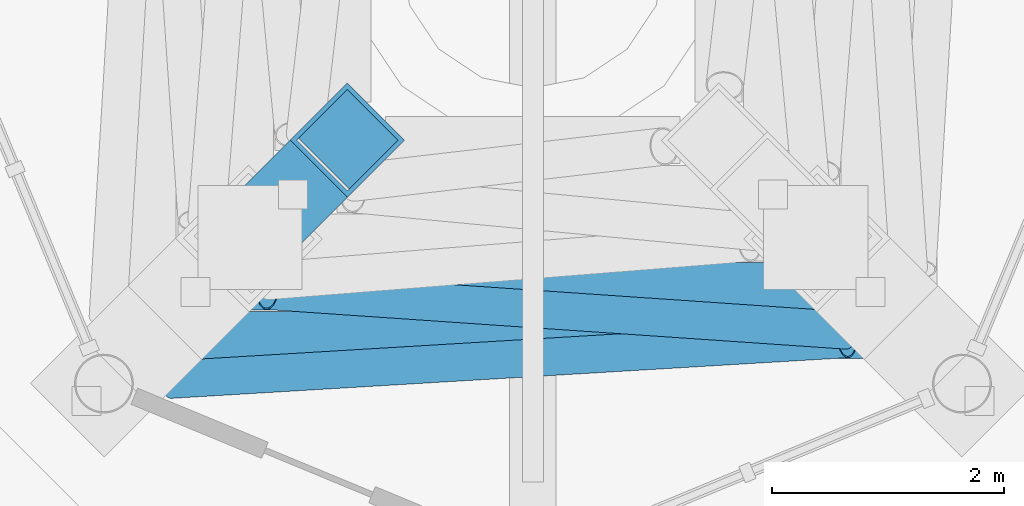
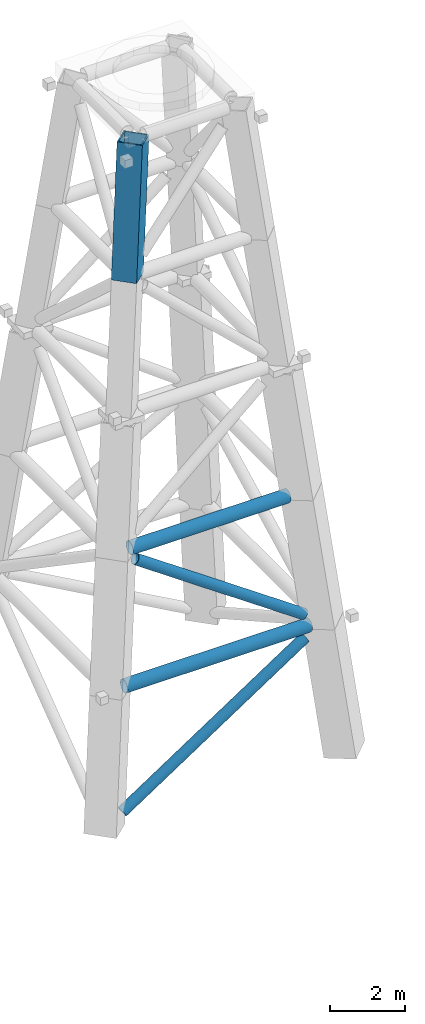
# One storey, part 9 of 32: 5 members.
"""IFC4 building model written with IfcOpenShell, lengths in metres."""

import ifcopenshell
import ifcopenshell.guid

model = None  # the IFC model being written
_history = None  # IfcOwnerHistory: only IFC2X3 demands one
_inside = {}  # id of a spatial element -> (the spatial element, [elements in it])
_under = {}  # id of a project, library or spatial element -> (it, [spatial elements below it])
_declared = {}  # id of a project -> (the project, [libraries it declares])
_typed = {}  # id of a type object -> (the type object, [elements of that type])
_made_of = {}  # id of a material, layer set ... -> (it, [elements and type objects made of it])


def new_model(schema):
    """Start an empty IFC model of exactly this schema.

    Asked for "IFC4X3", IfcOpenShell would pick the latest addendum, in which some entities
    have other attributes; the version numbers below select the first issue.
    IFC2X3 requires an IfcOwnerHistory on every rooted entity: one is made here for all.
    """
    global model, _history
    if schema == "IFC4X3":
        model = ifcopenshell.file(schema_version=(4, 3, 0, 0))
    else:
        model = ifcopenshell.file(schema=schema)
    _inside.clear()
    _under.clear()
    _declared.clear()
    _typed.clear()
    _made_of.clear()
    _history = None
    if model.schema == "IFC2X3":
        org = make("IfcOrganization", Name="unknown")
        user = make(
            "IfcPersonAndOrganization",
            ThePerson=make("IfcPerson", FamilyName="unknown"),
            TheOrganization=org,
        )
        app = make(
            "IfcApplication",
            ApplicationDeveloper=org,
            Version="unknown",
            ApplicationFullName="unknown",
            ApplicationIdentifier="unknown",
        )
        _history = make(
            "IfcOwnerHistory",
            OwningUser=user,
            OwningApplication=app,
            ChangeAction="ADDED",
            CreationDate=0,
        )
    return model


def make(cls, **values):
    """One entity of the class cls with the attributes given. An attribute that is None is left unset."""
    return model.create_entity(
        cls, **{name: value for name, value in values.items() if value is not None}
    )


def rooted(cls, **values):
    """An entity with a GlobalId (a new one), such as an element, a storey or a relation."""
    return make(cls, GlobalId=ifcopenshell.guid.new(), OwnerHistory=_history, **values)


def si_unit(unit_type, name, prefix=None):
    """IfcSIUnit, for example si_unit("LENGTHUNIT", "METRE", prefix="MILLI")."""
    return make("IfcSIUnit", UnitType=unit_type, Prefix=prefix, Name=name)


def assignment(units):
    """IfcUnitAssignment: the units of a project."""
    return None if units is None else make("IfcUnitAssignment", Units=units)


def point(xyz):
    """IfcCartesianPoint."""
    return None if xyz is None else make("IfcCartesianPoint", Coordinates=xyz)


def direction(xyz):
    """IfcDirection."""
    return None if xyz is None else make("IfcDirection", DirectionRatios=xyz)


def frame(location, z_axis=None, x_axis=None):
    """IfcAxis2Placement3D, a coordinate frame: its origin and axes. An axis left out is left unset."""
    return make(
        "IfcAxis2Placement3D",
        Location=point(location),
        Axis=direction(z_axis),
        RefDirection=direction(x_axis),
    )


def frame_2d(location, x_axis=None):
    """IfcAxis2Placement2D, a coordinate frame in the plane: its origin and x axis."""
    return make(
        "IfcAxis2Placement2D", Location=point(location), RefDirection=direction(x_axis)
    )


def origin():
    """The frame at (0, 0, 0) with its axes left unset."""
    return frame((0.0, 0.0, 0.0))


def origin_2d():
    """The frame at (0, 0) in the plane with its x axis left unset."""
    return frame_2d((0.0, 0.0))


def place(relative_to, where):
    """IfcLocalPlacement: puts the frame where relative to a parent placement (None: the world)."""
    return make(
        "IfcLocalPlacement", PlacementRelTo=relative_to, RelativePlacement=where
    )


def context(
    kind, dimensions, precision=None, world=None, true_north=None, identifier=None
):
    """IfcGeometricRepresentationContext, for example the 3D "Model" context."""
    return make(
        "IfcGeometricRepresentationContext",
        ContextIdentifier=identifier,
        ContextType=kind,
        CoordinateSpaceDimension=dimensions,
        Precision=precision,
        WorldCoordinateSystem=world,
        TrueNorth=true_north,
    )


def subcontext(parent, identifier, kind, view, scale=None):
    """IfcGeometricRepresentationSubContext, for example "Body" below "Model"."""
    return make(
        "IfcGeometricRepresentationSubContext",
        ContextIdentifier=identifier,
        ContextType=kind,
        ParentContext=parent,
        TargetScale=scale,
        TargetView=view,
    )


def project(units=None, contexts=None):
    """IfcProject with its units and contexts."""
    return rooted(
        "IfcProject",
        Name="project",
        RepresentationContexts=contexts,
        UnitsInContext=assignment(units),
    )


def spatial(cls, under=None, at=None, **own):
    """A site, building, storey or space (cls), placed at a placement, below another one or the project."""
    s = rooted(cls, ObjectPlacement=at, **own)
    if under is not None:
        _under.setdefault(under.id(), (under, []))[1].append(s)
    return s


def profile(cls, at=None, kind="AREA", **sizes):
    """A parametric profile (cls). Its sizes go by their IFC names, for example OverallWidth=200.0."""
    return make(cls, ProfileType=kind, Position=at, **sizes)


def hollow_rectangle(**sizes):
    """IfcRectangleHollowProfileDef."""
    return profile("IfcRectangleHollowProfileDef", **sizes)


def hollow_circle(**sizes):
    """IfcCircleHollowProfileDef."""
    return profile("IfcCircleHollowProfileDef", **sizes)


def extrude(swept, where, along, depth):
    """IfcExtrudedAreaSolid: the profile swept, set in the frame where, extruded along a direction by depth."""
    return make(
        "IfcExtrudedAreaSolid",
        SweptArea=swept,
        Position=where,
        ExtrudedDirection=direction(along),
        Depth=depth,
    )


def shape(context_of_items, identifier, shape_type, items):
    """IfcShapeRepresentation: the items that make up one representation, for example the "Body"."""
    return make(
        "IfcShapeRepresentation",
        ContextOfItems=context_of_items,
        RepresentationIdentifier=identifier,
        RepresentationType=shape_type,
        Items=items,
    )


def material(Name=None, Category=None):
    """IfcMaterial."""
    return make("IfcMaterial", Name=Name, Category=Category)


def material_profile(
    of_material, cross_section, Name=None, Category=None, Priority=None
):
    """IfcMaterialProfile: a cross section and its material."""
    return make(
        "IfcMaterialProfile",
        Name=Name,
        Material=of_material,
        Profile=cross_section,
        Priority=Priority,
        Category=Category,
    )


def profile_set(profiles, Name=None, composite=None):
    """IfcMaterialProfileSet."""
    return make(
        "IfcMaterialProfileSet",
        Name=Name,
        MaterialProfiles=profiles,
        CompositeProfile=composite,
    )


def made_of(thing, what):
    """Note that an element or type object is made of a material, layer set ...; save() writes the relation."""
    if what is not None:
        _made_of.setdefault(what.id(), (what, []))[1].append(thing)
    return thing


def type_object(cls, material=None, **own):
    """A type object (cls), such as IfcWallType, which elements share."""
    return made_of(rooted(cls, **own), material)


def element(
    cls,
    number,
    at=None,
    inside=None,
    cuts=None,
    type_object=None,
    material=None,
    context=None,
    identifier="Body",
    shape_type=None,
    held_by="IfcProductDefinitionShape",
    body=None,
    shapes=None,
    **own,
):
    """One element of the class cls, such as IfcWall. Its Tag is "e" and its number.

    at: its placement. inside: the storey or other place that contains it. cuts: it is an
    opening in that element (IfcRelVoidsElement). A single representation is given by context,
    identifier, shape_type and body (its items); several are given by shapes. held_by: the class
    of the entity that holds the representations. save() writes the other relations.
    """
    e = rooted(cls, Tag="e%d" % number, ObjectPlacement=at, **own)
    if body is not None:
        shapes = [shape(context, identifier, shape_type, body)]
    if shapes is not None:
        e.Representation = make(held_by, Representations=shapes)
    if inside is not None:
        _inside.setdefault(inside.id(), (inside, []))[1].append(e)
    if cuts is not None:
        rooted(
            "IfcRelVoidsElement", RelatingBuildingElement=cuts, RelatedOpeningElement=e
        )
    if type_object is not None:
        _typed.setdefault(type_object.id(), (type_object, []))[1].append(e)
    return made_of(e, material)


def aggregate(whole, parts):
    """IfcRelAggregates: a whole, such as a stair, and the parts it consists of."""
    return rooted("IfcRelAggregates", RelatingObject=whole, RelatedObjects=parts)


def save(model, path):
    """Write the relations noted so far, then the file.

    IfcRelAggregates (storeys below a building ...), IfcRelContainedInSpatialStructure (elements
    in a storey), IfcRelDefinesByType, IfcRelAssociatesMaterial and IfcRelDeclares: one each for
    every whole, place, type object, material and project.
    """
    for whole, parts in _under.values():
        aggregate(whole, parts)
    for where, things in _inside.values():
        rooted(
            "IfcRelContainedInSpatialStructure",
            RelatedElements=things,
            RelatingStructure=where,
        )
    for kind, things in _typed.values():
        rooted("IfcRelDefinesByType", RelatedObjects=things, RelatingType=kind)
    for what, things in _made_of.values():
        rooted("IfcRelAssociatesMaterial", RelatedObjects=things, RelatingMaterial=what)
    for by, libraries in _declared.values():
        rooted("IfcRelDeclares", RelatingContext=by, RelatedDefinitions=libraries)
    model.write(path)


model = new_model("IFC4")

# Units and contexts
model_context = context("Model", 3, precision=1e-05, world=origin(), true_north=direction((0.0, 1.0)))
body_context = subcontext(model_context, "Body", "Model", "MODEL_VIEW")
ifc_project = project(units=[si_unit("LENGTHUNIT", "METRE"), si_unit("AREAUNIT", "SQUARE_METRE"), si_unit("VOLUMEUNIT", "CUBIC_METRE"), si_unit("PLANEANGLEUNIT", "RADIAN"), si_unit("MASSUNIT", "GRAM", prefix="KILO")], contexts=[model_context])

# Site, building, storey
site_placement = place(None, origin())
site = spatial("IfcSite", under=ifc_project, at=site_placement, CompositionType="ELEMENT")
building_placement = place(site_placement, origin())
building = spatial("IfcBuilding", under=site, at=building_placement, Name="Cobrizo Arcos Hotel Tower", CompositionType="ELEMENT")
storey_placement = place(building_placement, frame((0.0, 0.0, 265.5)))
storey = spatial("IfcBuildingStorey", under=building, at=storey_placement, Name="L70", CompositionType="ELEMENT", Elevation=265.5)

# Members
ifc_material_1 = material(Name="Steel ASTM A500 Grade C", Category="steel")
ifc_material_profile_1 = material_profile(ifc_material_1, hollow_circle(Radius=0.161865234375, WallThickness=0.01171875, at=origin_2d()), Name="HSS12.750X0.500")
ifc_profile_set_1 = profile_set([ifc_material_profile_1], Name="Steel ASTM A500 Grade C")
member_type_1 = type_object("IfcMemberType", Name="MAST diagonal HSS12.750X0.500", PredefinedType="BRACE", material=ifc_profile_set_1)
member_1_placement = place(storey_placement, frame((-3.129150390625, -3.66552734375, 31.835205078125), z_axis=(0.861084142838, 0.051780997675, 0.505818966857), x_axis=(-0.060026220022, 0.998196800691, 0.0)))
element("IfcMember", 1, at=member_1_placement, inside=storey, type_object=member_type_1, Name="MAST diagonal stage 1 face 1", PredefinedType="BRACE", context=body_context, shape_type="SweptSolid", body=[
    extrude(hollow_circle(Radius=0.161865234375, WallThickness=0.01171875, at=origin_2d()), origin(), (0.0, 0.0, 1.0), 6.780029296875),
])
member_2_placement = place(storey_placement, frame((2.70947265625, -3.240966796875, 35.98095703125), z_axis=(-0.830275754307, 0.056811542456, 0.554449835831), x_axis=(-0.068265287094, -0.997667204321, 0.0)))
element("IfcMember", 2, at=member_2_placement, inside=storey, type_object=member_type_1, Name="MAST diagonal stage 2 face 1", PredefinedType="BRACE", context=body_context, shape_type="SweptSolid", body=[
    extrude(hollow_circle(Radius=0.161865234375, WallThickness=0.01171875, at=origin_2d()), origin(), (0.0, 0.0, 1.0), 6.0205078125),
])
ifc_material_2 = material(Name="Steel ASTM A572 Grade 50", Category="steel")
ifc_material_profile_2 = material_profile(ifc_material_2, hollow_rectangle(XDim=0.699951171875, YDim=0.699951171875, WallThickness=0.0400390625, at=origin_2d()), Name="BOX 700X700X40")
ifc_profile_set_2 = profile_set([ifc_material_profile_2], Name="Steel ASTM A572 Grade 50")
member_type_2 = type_object("IfcMemberType", Name="MAST leg BOX 700X700X40", PredefinedType="CHORD", material=ifc_profile_set_2)
member_3_placement = place(storey_placement, frame((-2.02001953125, -2.02001953125, 47.89990234375), z_axis=(0.101359849485, 0.101359849485, 0.98967285596), x_axis=(-0.707106781187, 0.707106781187, 0.0)))
element("IfcMember", 3, at=member_3_placement, inside=storey, type_object=member_type_2, Name="MAST leg SW stage 5", PredefinedType="CHORD", context=body_context, shape_type="SweptSolid", body=[
    extrude(hollow_rectangle(XDim=0.699951171875, YDim=0.699951171875, WallThickness=0.0400390625, at=origin_2d()), origin(), (0.0, 0.0, 1.0), 4.142822265625),
])
ifc_material_profile_3 = material_profile(ifc_material_1, hollow_circle(Radius=0.203125, WallThickness=0.01171875, at=origin_2d()), Name="HSS16.000X0.500")
ifc_profile_set_3 = profile_set([ifc_material_profile_3], Name="Steel ASTM A500 Grade C")
member_type_3 = type_object("IfcMemberType", Name="MAST strut HSS16.000X0.500", PredefinedType="STRUT", material=ifc_profile_set_3)
member_4_placement = place(storey_placement, frame((-2.85009765625, -3.280029296875, 35.60009765625), z_axis=(1.0, 0.0, 0.0), x_axis=(0.0, 1.0, 0.0)))
element("IfcMember", 4, at=member_4_placement, inside=storey, type_object=member_type_3, Name="MAST strut level 1 face 1", PredefinedType="STRUT", context=body_context, shape_type="SweptSolid", body=[
    extrude(hollow_circle(Radius=0.203125, WallThickness=0.01171875, at=origin_2d()), origin(), (0.0, 0.0, 1.0), 5.7001953125),
])
member_5_placement = place(storey_placement, frame((-2.429931640625, -2.860107421875, 39.699951171875), z_axis=(1.0, 0.0, 0.0), x_axis=(0.0, 1.0, 0.0)))
element("IfcMember", 5, at=member_5_placement, inside=storey, type_object=member_type_3, Name="MAST strut level 2 face 1", PredefinedType="STRUT", context=body_context, shape_type="SweptSolid", body=[
    extrude(hollow_circle(Radius=0.203125, WallThickness=0.01171875, at=origin_2d()), origin(), (0.0, 0.0, 1.0), 4.85986328125),
])

save(model, "model.ifc")
